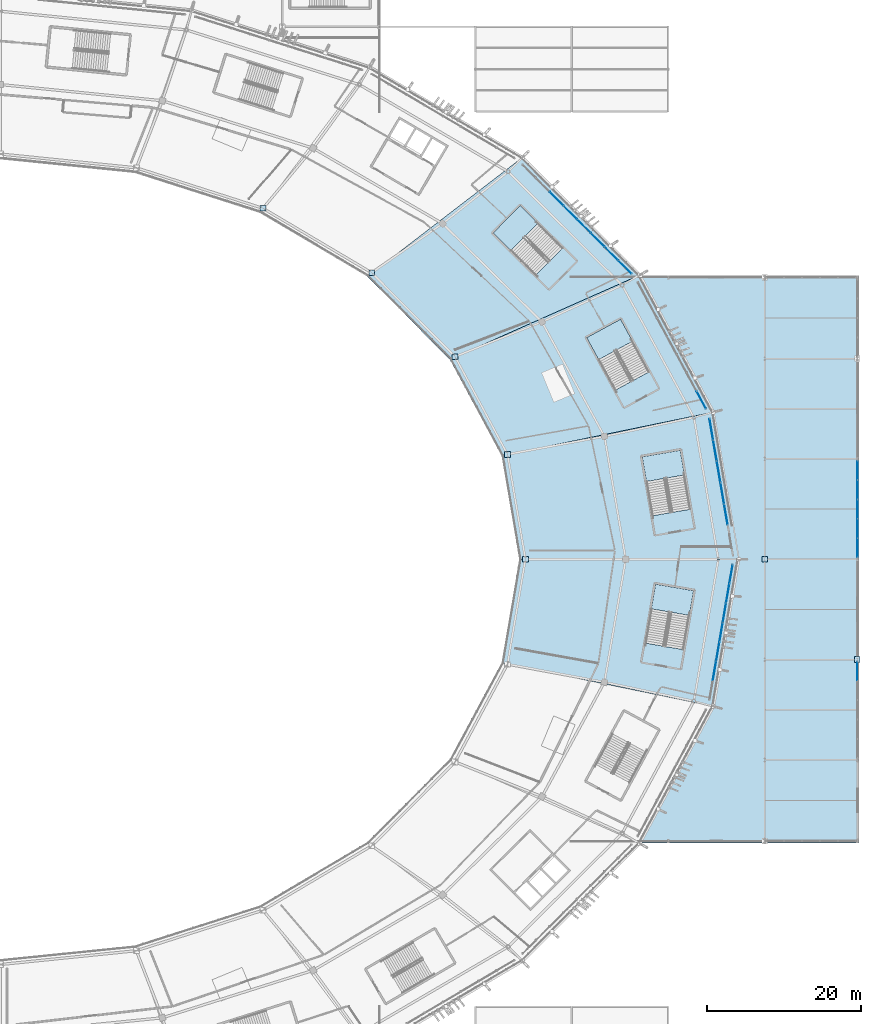
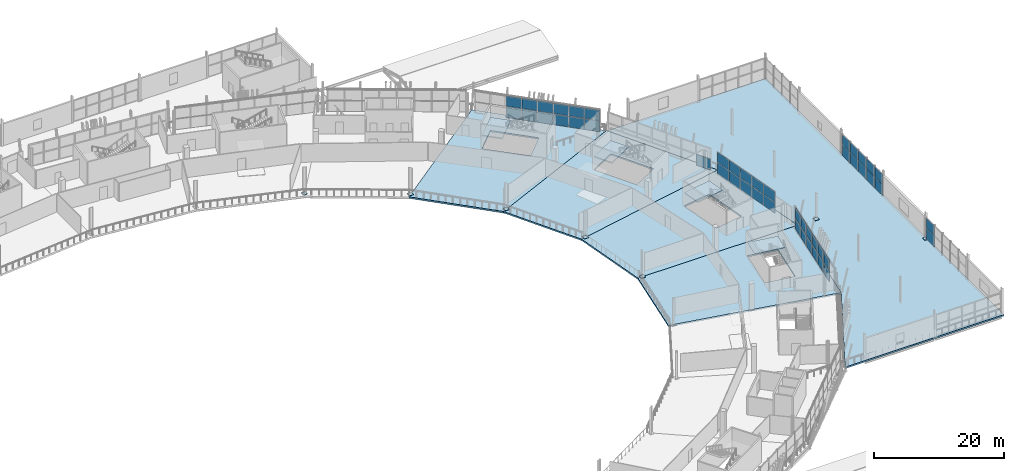
# One storey, part 98 of 179: 54 plates, 9 slabs, 10 elements without a shape of their own.
"""IFC4 building model written with IfcOpenShell, lengths in metres."""

from ifc_helpers import new_model, si_unit, direction, frame, origin, origin_2d, place, context, subcontext, project, spatial, polyline, rectangle, outline, extrude, material, layer, layer_set, type_object, element, aggregate, save


model = new_model("IFC4")

# Units and contexts
model_context = context("Model", 3, precision=1e-05, world=origin(), true_north=direction((0.0, 1.0)))
body_context = subcontext(model_context, "Body", "Model", "MODEL_VIEW")
ifc_project = project(units=[si_unit("LENGTHUNIT", "METRE"), si_unit("AREAUNIT", "SQUARE_METRE"), si_unit("VOLUMEUNIT", "CUBIC_METRE"), si_unit("PLANEANGLEUNIT", "RADIAN"), si_unit("MASSUNIT", "GRAM", prefix="KILO")], contexts=[model_context])

# Site, building, storey
site_placement = place(None, origin())
site = spatial("IfcSite", under=ifc_project, at=site_placement, CompositionType="ELEMENT")
building_placement = place(site_placement, origin())
building = spatial("IfcBuilding", under=site, at=building_placement, Name="Zlatoyarsky Gate Stadium", CompositionType="ELEMENT")
storey_placement = place(building_placement, frame((0.0, 0.0, 10.60009765625)))
storey = spatial("IfcBuildingStorey", under=building, at=storey_placement, Name="L02", CompositionType="ELEMENT", Elevation=10.60009765625)

# Curtain wall, plates
ifc_material_1 = material(Name="Thermally broken anodised aluminium curtain wall", Category="aluminium")
curtain_wall_type_1 = type_object("IfcCurtainWallType", Name="MONUMENTAL ARCHED GATE GLAZING UPPER", PredefinedType="USERDEFINED", material=ifc_material_1)
curtain_wall_1_placement = place(storey_placement, origin())
curtain_wall_1 = element("IfcCurtainWall", 1, at=curtain_wall_1_placement, inside=storey, type_object=curtain_wall_type_1, Name="Curtain wall CW-L02-00", ObjectType="ARCHED GATE GLAZING", PredefinedType="USERDEFINED")
ifc_material_2 = material(Name="Triple-glazed argon low-e architectural glass", Category="glass")
ifc_layer_1 = layer(ifc_material_2, 0.0458984375)
ifc_layer_set_1 = layer_set([ifc_layer_1], Name="Triple-glazed argon low-e architectural glass")
plate_type_1 = type_object("IfcPlateType", Name="ACOUSTIC LAMINATED GATE GLAZING PANEL 46", PredefinedType="CURTAIN_PANEL", material=ifc_layer_set_1)
plate_1_placement = place(storey_placement, frame((204.983642578125, 85.790771484375, 0.074951171875), z_axis=(0.0, 0.0, 1.0), x_axis=(-0.168878353177, 0.985636901617, 0.0)))
plate_1 = element("IfcPlate", 2, at=plate_1_placement, type_object=plate_type_1, Name="CW-AG2 panel 1.1", PredefinedType="CURTAIN_PANEL", context=body_context, shape_type="SweptSolid", body=[
    extrude(rectangle(XDim=2.699951171875, YDim=0.0458984375, at=origin_2d()), origin(), (0.0, 0.0, 1.0), 2.03759765625),
])
plate_2_placement = place(storey_placement, frame((204.983642578125, 85.790771484375, 2.1875), z_axis=(0.0, 0.0, 1.0), x_axis=(-0.168878353177, 0.985636901617, 0.0)))
plate_2 = element("IfcPlate", 3, at=plate_2_placement, type_object=plate_type_1, Name="CW-AG2 panel 1.2", PredefinedType="CURTAIN_PANEL", context=body_context, shape_type="SweptSolid", body=[
    extrude(rectangle(XDim=2.699951171875, YDim=0.0458984375, at=origin_2d()), origin(), (0.0, 0.0, 1.0), 1.9375),
])
plate_3_placement = place(storey_placement, frame((204.511962890625, 88.54443359375, 0.074951171875), z_axis=(0.0, 0.0, 1.0), x_axis=(-0.168878353177, 0.985636901617, 0.0)))
plate_3 = element("IfcPlate", 4, at=plate_3_placement, type_object=plate_type_1, Name="CW-AG2 panel 2.1", PredefinedType="CURTAIN_PANEL", context=body_context, shape_type="SweptSolid", body=[
    extrude(rectangle(XDim=2.737548828125, YDim=0.0458984375, at=origin_2d()), origin(), (0.0, 0.0, 1.0), 2.03759765625),
])
plate_4_placement = place(storey_placement, frame((204.511962890625, 88.54443359375, 2.1875), z_axis=(0.0, 0.0, 1.0), x_axis=(-0.168878353177, 0.985636901617, 0.0)))
plate_4 = element("IfcPlate", 5, at=plate_4_placement, type_object=plate_type_1, Name="CW-AG2 panel 2.2", PredefinedType="CURTAIN_PANEL", context=body_context, shape_type="SweptSolid", body=[
    extrude(rectangle(XDim=2.737548828125, YDim=0.0458984375, at=origin_2d()), origin(), (0.0, 0.0, 1.0), 1.9375),
])
plate_5_placement = place(storey_placement, frame((204.036865234375, 91.31640625, 0.074951171875), z_axis=(0.0, 0.0, 1.0), x_axis=(-0.168878353177, 0.985636901617, 0.0)))
plate_5 = element("IfcPlate", 6, at=plate_5_placement, type_object=plate_type_1, Name="CW-AG2 panel 3.1", PredefinedType="CURTAIN_PANEL", context=body_context, shape_type="SweptSolid", body=[
    extrude(rectangle(XDim=2.737548828125, YDim=0.0458984375, at=origin_2d()), origin(), (0.0, 0.0, 1.0), 2.03759765625),
])
plate_6_placement = place(storey_placement, frame((204.036865234375, 91.31640625, 2.1875), z_axis=(0.0, 0.0, 1.0), x_axis=(-0.168878353177, 0.985636901617, 0.0)))
plate_6 = element("IfcPlate", 7, at=plate_6_placement, type_object=plate_type_1, Name="CW-AG2 panel 3.2", PredefinedType="CURTAIN_PANEL", context=body_context, shape_type="SweptSolid", body=[
    extrude(rectangle(XDim=2.737548828125, YDim=0.0458984375, at=origin_2d()), origin(), (0.0, 0.0, 1.0), 1.9375),
])
plate_7_placement = place(storey_placement, frame((203.56201171875, 94.088623046875, 0.074951171875), z_axis=(0.0, 0.0, 1.0), x_axis=(-0.168878353177, 0.985636901617, 0.0)))
plate_7 = element("IfcPlate", 8, at=plate_7_placement, type_object=plate_type_1, Name="CW-AG2 panel 4.1", PredefinedType="CURTAIN_PANEL", context=body_context, shape_type="SweptSolid", body=[
    extrude(rectangle(XDim=2.737548828125, YDim=0.0458984375, at=origin_2d()), origin(), (0.0, 0.0, 1.0), 2.03759765625),
])
plate_8_placement = place(storey_placement, frame((203.56201171875, 94.088623046875, 2.1875), z_axis=(0.0, 0.0, 1.0), x_axis=(-0.168878353177, 0.985636901617, 0.0)))
plate_8 = element("IfcPlate", 9, at=plate_8_placement, type_object=plate_type_1, Name="CW-AG2 panel 4.2", PredefinedType="CURTAIN_PANEL", context=body_context, shape_type="SweptSolid", body=[
    extrude(rectangle(XDim=2.737548828125, YDim=0.0458984375, at=origin_2d()), origin(), (0.0, 0.0, 1.0), 1.9375),
])
plate_9_placement = place(storey_placement, frame((203.090087890625, 96.84228515625, 0.074951171875), z_axis=(0.0, 0.0, 1.0), x_axis=(-0.168878353177, 0.985636901617, 0.0)))
plate_9 = element("IfcPlate", 10, at=plate_9_placement, type_object=plate_type_1, Name="CW-AG2 panel 5.1", PredefinedType="CURTAIN_PANEL", context=body_context, shape_type="SweptSolid", body=[
    extrude(rectangle(XDim=2.699951171875, YDim=0.0458984375, at=origin_2d()), origin(), (0.0, 0.0, 1.0), 2.03759765625),
])
plate_10_placement = place(storey_placement, frame((203.090087890625, 96.84228515625, 2.1875), z_axis=(0.0, 0.0, 1.0), x_axis=(-0.168878353177, 0.985636901617, 0.0)))
plate_10 = element("IfcPlate", 11, at=plate_10_placement, type_object=plate_type_1, Name="CW-AG2 panel 5.2", PredefinedType="CURTAIN_PANEL", context=body_context, shape_type="SweptSolid", body=[
    extrude(rectangle(XDim=2.699951171875, YDim=0.0458984375, at=origin_2d()), origin(), (0.0, 0.0, 1.0), 1.9375),
])
aggregate(curtain_wall_1, [plate_1, plate_2, plate_3, plate_4, plate_5, plate_6, plate_7, plate_8, plate_9, plate_10])

# Slabs
ifc_material_3 = material(Name="Concrete C40/50", Category="concrete")
ifc_layer_2 = layer(ifc_material_3, 0.280029296875)
ifc_layer_set_2 = layer_set([ifc_layer_2], Name="Concrete C40/50")
slab_type_1 = type_object("IfcSlabType", Name="CONCRETE HOSPITALITY SLAB 280", PredefinedType="FLOOR", material=ifc_layer_set_2)
slab_1_placement = place(storey_placement, frame((0.0, 0.0, -0.280029296875)))
element("IfcSlab", 12, at=slab_1_placement, inside=storey, type_object=slab_type_1, Name="L02 bowl sector 00 slab", PredefinedType="FLOOR", context=body_context, shape_type="SweptSolid", body=[
    extrude(outline(polyline([(175.91015625, 93.40673828125), (203.415771484375, 99.068603515625), (206.67578125, 80.0), (178.199951171875, 80.0), (175.91015625, 93.40673828125)]), holes=[polyline([(200.37548828125, 86.485107421875), (199.058349609375, 94.122314453125), (194.131103515625, 93.272705078125), (195.447998046875, 85.635498046875), (200.37548828125, 86.485107421875)])]), origin(), (0.0, 0.0, 1.0), 0.280029296875),
])
slab_2_placement = place(storey_placement, frame((0.0, 0.0, -0.280029296875)))
element("IfcSlab", 13, at=slab_2_placement, inside=storey, type_object=slab_type_1, Name="L02 bowl sector 01 slab", PredefinedType="FLOOR", context=body_context, shape_type="SweptSolid", body=[
    extrude(outline(polyline([(169.197021484375, 105.89990234375), (193.85791015625, 116.837890625), (203.415771484375, 99.068603515625), (175.91015625, 93.40673828125), (169.197021484375, 105.89990234375)]), holes=[polyline([(195.030517578125, 104.287353515625), (191.33447265625, 111.09912109375), (186.939697265625, 108.71484375), (190.635498046875, 101.90283203125), (195.030517578125, 104.287353515625)])]), origin(), (0.0, 0.0, 1.0), 0.280029296875),
])
slab_3_placement = place(storey_placement, frame((0.0, 0.0, -0.280029296875)))
element("IfcSlab", 14, at=slab_3_placement, inside=storey, type_object=slab_type_1, Name="L02 bowl sector 02 slab", PredefinedType="FLOOR", context=body_context, shape_type="SweptSolid", body=[
    extrude(outline(polyline([(158.517578125, 116.628173828125), (178.653076171875, 132.0966796875), (193.85791015625, 116.837890625), (169.197021484375, 105.89990234375), (158.517578125, 116.628173828125)]), holes=[polyline([(183.828125, 120.347412109375), (178.334228515625, 125.8134765625), (174.8076171875, 122.268798828125), (180.3017578125, 116.802734375), (183.828125, 120.347412109375)])]), origin(), (0.0, 0.0, 1.0), 0.280029296875),
])
slab_4_placement = place(storey_placement, frame((0.0, 0.0, -0.280029296875)))
element("IfcSlab", 15, at=slab_4_placement, inside=storey, type_object=slab_type_1, Name="L02 bowl sector 23 slab", PredefinedType="FLOOR", context=body_context, shape_type="SweptSolid", body=[
    extrude(outline(polyline([(178.199951171875, 80.0), (206.67578125, 80.0), (203.415771484375, 60.931396484375), (175.91015625, 66.59326171875), (178.199951171875, 80.0)]), holes=[polyline([(194.547607421875, 69.1416015625), (199.474609375, 68.2919921875), (200.791748046875, 75.92919921875), (195.864501953125, 76.77880859375), (194.547607421875, 69.1416015625)])]), origin(), (0.0, 0.0, 1.0), 0.280029296875),
])
slab_5_placement = place(storey_placement, frame((0.0, 0.0, -0.280029296875)))
element("IfcSlab", 16, at=slab_5_placement, inside=storey, type_object=slab_type_1, Name="L02 wing V5_EAST slab", PredefinedType="FLOOR", context=body_context, shape_type="SweptSolid", body=[
    extrude(outline(polyline([(193.910400390625, 43.260009765625), (203.415771484375, 60.931396484375), (206.67578125, 80.0), (203.415771484375, 99.068603515625), (193.910400390625, 116.739990234375), (222.239990234375, 116.739990234375), (222.239990234375, 43.260009765625), (193.910400390625, 43.260009765625)])), origin(), (0.0, 0.0, 1.0), 0.280029296875),
])

# Stair, slab
stair_type = type_object("IfcStairType", Name="CONCRETE DOGLEG EXIT STAIR H5000", PredefinedType="TWO_STRAIGHT_RUN_STAIR", material=ifc_material_3)
stair_1_placement = place(storey_placement, origin())
stair_1 = element("IfcStair", 17, at=stair_1_placement, inside=storey, type_object=stair_type, Name="L02 Exit Stair ST-01", PredefinedType="TWO_STRAIGHT_RUN_STAIR")
ifc_layer_3 = layer(ifc_material_3, 0.199951171875)
ifc_layer_set_3 = layer_set([ifc_layer_3], Name="Concrete C40/50")
slab_type_2 = type_object("IfcSlabType", Name="CONCRETE STAIR LANDING SLAB 200", PredefinedType="LANDING", material=ifc_layer_set_3)
slab_6_placement = place(storey_placement, frame((0.0, 0.0, 2.2998046875)))
slab_6 = element("IfcSlab", 18, at=slab_6_placement, type_object=slab_type_2, Name="ST-DG50 landing 1", PredefinedType="LANDING", context=body_context, shape_type="SweptSolid", body=[
    extrude(outline(polyline([(199.610595703125, 90.919677734375), (199.058349609375, 94.12255859375), (194.131103515625, 93.272705078125), (194.683349609375, 90.070068359375), (199.610595703125, 90.919677734375)])), origin(), (0.0, 0.0, 1.0), 0.2001953125),
])
aggregate(stair_1, [slab_6])

stair_2_placement = place(storey_placement, origin())
stair_2 = element("IfcStair", 19, at=stair_2_placement, inside=storey, type_object=stair_type, Name="L02 Exit Stair ST-02", PredefinedType="TWO_STRAIGHT_RUN_STAIR")
slab_7_placement = place(storey_placement, frame((0.0, 0.0, 2.2998046875)))
slab_7 = element("IfcSlab", 20, at=slab_7_placement, type_object=slab_type_2, Name="ST-DG50 landing 1", PredefinedType="LANDING", context=body_context, shape_type="SweptSolid", body=[
    extrude(outline(polyline([(180.63818359375, 123.521240234375), (178.334228515625, 125.8134765625), (174.8076171875, 122.26904296875), (177.111572265625, 119.9765625), (180.63818359375, 123.521240234375)])), origin(), (0.0, 0.0, 1.0), 0.2001953125),
])
aggregate(stair_2, [slab_7])

stair_3_placement = place(storey_placement, origin())
stair_3 = element("IfcStair", 21, at=stair_3_placement, inside=storey, type_object=stair_type, Name="L02 Exit Stair ST-13", PredefinedType="TWO_STRAIGHT_RUN_STAIR")
slab_8_placement = place(storey_placement, frame((0.0, 0.0, 2.2998046875)))
slab_8 = element("IfcSlab", 22, at=slab_8_placement, type_object=slab_type_2, Name="ST-DG50 landing 1", PredefinedType="LANDING", context=body_context, shape_type="SweptSolid", body=[
    extrude(outline(polyline([(192.884521484375, 108.24267578125), (191.33447265625, 111.09912109375), (186.939697265625, 108.71484375), (188.489501953125, 105.858154296875), (192.884521484375, 108.24267578125)])), origin(), (0.0, 0.0, 1.0), 0.2001953125),
])
aggregate(stair_3, [slab_8])

stair_4_placement = place(storey_placement, origin())
stair_4 = element("IfcStair", 23, at=stair_4_placement, inside=storey, type_object=stair_type, Name="L02 Exit Stair ST-20", PredefinedType="TWO_STRAIGHT_RUN_STAIR")
slab_9_placement = place(storey_placement, frame((0.0, 0.0, 2.2998046875)))
slab_9 = element("IfcSlab", 24, at=slab_9_placement, type_object=slab_type_2, Name="ST-DG50 landing 1", PredefinedType="LANDING", context=body_context, shape_type="SweptSolid", body=[
    extrude(outline(polyline([(200.239501953125, 72.7265625), (200.791748046875, 75.92919921875), (195.864501953125, 76.77880859375), (195.312255859375, 73.576171875), (200.239501953125, 72.7265625)])), origin(), (0.0, 0.0, 1.0), 0.2001953125),
])
aggregate(stair_4, [slab_9])

# Curtain wall, plates
curtain_wall_type_2 = type_object("IfcCurtainWallType", Name="WINTER GARDEN CONSERVATORY GLAZING", PredefinedType="USERDEFINED", material=ifc_material_1)
curtain_wall_2_placement = place(storey_placement, origin())
curtain_wall_2 = element("IfcCurtainWall", 25, at=curtain_wall_2_placement, inside=storey, type_object=curtain_wall_type_2, Name="Curtain wall CW-V5_EAST-L02-184", ObjectType="UNITISED GLAZING", PredefinedType="USERDEFINED")
ifc_material_4 = material(Name="Anodised aluminium spandrel panel", Category="aluminium")
ifc_layer_4 = layer(ifc_material_4, 0.05810546875)
ifc_layer_set_4 = layer_set([ifc_layer_4], Name="Anodised aluminium spandrel panel")
plate_type_2 = type_object("IfcPlateType", Name="INSULATED ALUMINIUM SPANDREL PANEL 58", PredefinedType="CURTAIN_PANEL", material=ifc_layer_set_4)
plate_11_placement = place(storey_placement, frame((222.0, 81.48583984375, 0.06494140625), z_axis=(0.0, 0.0, 1.0), x_axis=(0.0, 1.0, 0.0)))
plate_11 = element("IfcPlate", 26, at=plate_11_placement, type_object=plate_type_2, Name="CW-WG1 panel 1.1", PredefinedType="CURTAIN_PANEL", context=body_context, shape_type="SweptSolid", body=[
    extrude(rectangle(XDim=2.417724609375, YDim=0.05810546875, at=origin_2d()), origin(), (0.0, 0.0, 1.0), 2.052490234375),
])
plate_12_placement = place(storey_placement, frame((222.0, 81.48583984375, 2.182373046875), z_axis=(0.0, 0.0, 1.0), x_axis=(0.0, 1.0, 0.0)))
plate_12 = element("IfcPlate", 27, at=plate_12_placement, type_object=plate_type_2, Name="CW-WG1 panel 1.2", PredefinedType="CURTAIN_PANEL", context=body_context, shape_type="SweptSolid", body=[
    extrude(rectangle(XDim=2.417724609375, YDim=0.05810546875, at=origin_2d()), origin(), (0.0, 0.0, 1.0), 1.8525390625),
])
plate_13_placement = place(storey_placement, frame((222.0, 83.98486328125, 0.06494140625), z_axis=(0.0, 0.0, 1.0), x_axis=(0.0, 1.0, 0.0)))
plate_13 = element("IfcPlate", 28, at=plate_13_placement, type_object=plate_type_2, Name="CW-WG1 panel 2.1", PredefinedType="CURTAIN_PANEL", context=body_context, shape_type="SweptSolid", body=[
    extrude(rectangle(XDim=2.4501953125, YDim=0.05810546875, at=origin_2d()), origin(), (0.0, 0.0, 1.0), 2.052490234375),
])
plate_14_placement = place(storey_placement, frame((222.0, 83.98486328125, 2.182373046875), z_axis=(0.0, 0.0, 1.0), x_axis=(0.0, 1.0, 0.0)))
plate_14 = element("IfcPlate", 29, at=plate_14_placement, type_object=plate_type_2, Name="CW-WG1 panel 2.2", PredefinedType="CURTAIN_PANEL", context=body_context, shape_type="SweptSolid", body=[
    extrude(rectangle(XDim=2.4501953125, YDim=0.05810546875, at=origin_2d()), origin(), (0.0, 0.0, 1.0), 1.8525390625),
])
plate_15_placement = place(storey_placement, frame((222.0, 86.5, 0.06494140625), z_axis=(0.0, 0.0, 1.0), x_axis=(0.0, 1.0, 0.0)))
plate_15 = element("IfcPlate", 30, at=plate_15_placement, type_object=plate_type_2, Name="CW-WG1 panel 3.1", PredefinedType="CURTAIN_PANEL", context=body_context, shape_type="SweptSolid", body=[
    extrude(rectangle(XDim=2.4501953125, YDim=0.05810546875, at=origin_2d()), origin(), (0.0, 0.0, 1.0), 2.052490234375),
])
plate_16_placement = place(storey_placement, frame((222.0, 86.5, 2.182373046875), z_axis=(0.0, 0.0, 1.0), x_axis=(0.0, 1.0, 0.0)))
plate_16 = element("IfcPlate", 31, at=plate_16_placement, type_object=plate_type_2, Name="CW-WG1 panel 3.2", PredefinedType="CURTAIN_PANEL", context=body_context, shape_type="SweptSolid", body=[
    extrude(rectangle(XDim=2.4501953125, YDim=0.05810546875, at=origin_2d()), origin(), (0.0, 0.0, 1.0), 1.8525390625),
])
plate_17_placement = place(storey_placement, frame((222.0, 89.01513671875, 0.06494140625), z_axis=(0.0, 0.0, 1.0), x_axis=(0.0, 1.0, 0.0)))
plate_17 = element("IfcPlate", 32, at=plate_17_placement, type_object=plate_type_2, Name="CW-WG1 panel 4.1", PredefinedType="CURTAIN_PANEL", context=body_context, shape_type="SweptSolid", body=[
    extrude(rectangle(XDim=2.4501953125, YDim=0.05810546875, at=origin_2d()), origin(), (0.0, 0.0, 1.0), 2.052490234375),
])
plate_18_placement = place(storey_placement, frame((222.0, 89.01513671875, 2.182373046875), z_axis=(0.0, 0.0, 1.0), x_axis=(0.0, 1.0, 0.0)))
plate_18 = element("IfcPlate", 33, at=plate_18_placement, type_object=plate_type_2, Name="CW-WG1 panel 4.2", PredefinedType="CURTAIN_PANEL", context=body_context, shape_type="SweptSolid", body=[
    extrude(rectangle(XDim=2.4501953125, YDim=0.05810546875, at=origin_2d()), origin(), (0.0, 0.0, 1.0), 1.8525390625),
])
plate_19_placement = place(storey_placement, frame((222.0, 91.51416015625, 0.06494140625), z_axis=(0.0, 0.0, 1.0), x_axis=(0.0, 1.0, 0.0)))
plate_19 = element("IfcPlate", 34, at=plate_19_placement, type_object=plate_type_2, Name="CW-WG1 panel 5.1", PredefinedType="CURTAIN_PANEL", context=body_context, shape_type="SweptSolid", body=[
    extrude(rectangle(XDim=2.417724609375, YDim=0.05810546875, at=origin_2d()), origin(), (0.0, 0.0, 1.0), 2.052490234375),
])
plate_20_placement = place(storey_placement, frame((222.0, 91.51416015625, 2.182373046875), z_axis=(0.0, 0.0, 1.0), x_axis=(0.0, 1.0, 0.0)))
plate_20 = element("IfcPlate", 35, at=plate_20_placement, type_object=plate_type_2, Name="CW-WG1 panel 5.2", PredefinedType="CURTAIN_PANEL", context=body_context, shape_type="SweptSolid", body=[
    extrude(rectangle(XDim=2.417724609375, YDim=0.05810546875, at=origin_2d()), origin(), (0.0, 0.0, 1.0), 1.8525390625),
])
aggregate(curtain_wall_2, [plate_11, plate_12, plate_13, plate_14, plate_15, plate_16, plate_17, plate_18, plate_19, plate_20])

# Plates
ifc_material_5 = material(Name="Steel S355", Category="steel")
ifc_layer_5 = layer(ifc_material_5, 0.0400390625)
ifc_layer_set_5 = layer_set([ifc_layer_5], Name="Steel S355")
plate_type_3 = type_object("IfcPlateType", Name="STEEL COLUMN BASE PLATE 40", PredefinedType="USERDEFINED", material=ifc_layer_set_5)
for number, where, z_axis, x_axis, name in (
    (36, (179.0, 80.0, 0.0), (0.0, 0.0, 1.0), (1.0, 0.0, 0.0), "Column base plate BP-01 at RA-00 L02"),
    (37, (176.68310546875, 93.587890625, 0.0), (0.0, 0.0, 1.0), (1.0, 0.0, 0.0), "Column base plate BP-01 at RA-01 L02"),
    (38, (169.8896484375, 106.25, 0.0), (0.0, 0.0, 1.0), (1.0, 0.0, 0.0), "Column base plate BP-01 at RA-02 L02"),
    (39, (159.083251953125, 117.123046875, 0.0), (0.0, 0.0, 1.0), (1.0, 0.0, 0.0), "Column base plate BP-01 at RA-03 L02"),
    (40, (145.0, 125.46630859375, 0.0), (0.0, 0.0, 1.0), (1.0, 0.0, 0.0), "Column base plate BP-01 at RA-04 L02"),
    (41, (210.0, 80.0, 0.0), (0.0, 0.0, 1.0), (1.0, 0.0, 0.0), "Column base plate BP-01 at WG-18-H L02"),
    (42, (222.0, 67.0, 0.0), (0.0, 0.0, 1.0), (1.0, 0.0, 0.0), "Column base plate BP-01 at WG-19-G L02"),
):
    element("IfcPlate", number, at=place(storey_placement, frame(where, z_axis=z_axis, x_axis=x_axis)), inside=storey, type_object=plate_type_3, Name=name, ObjectType="BASE PLATE", PredefinedType="USERDEFINED", context=body_context, shape_type="SweptSolid", body=[
        extrude(rectangle(XDim=0.75, YDim=0.75, at=origin_2d()), origin(), (0.0, 0.0, 1.0), 0.0400390625),
    ])

# Curtain wall, plate
curtain_wall_type_3 = type_object("IfcCurtainWallType", Name="UNITISED HOSPITALITY GLAZING L02", PredefinedType="USERDEFINED", material=ifc_material_1)
curtain_wall_3_placement = place(storey_placement, origin())
curtain_wall_3 = element("IfcCurtainWall", 43, at=curtain_wall_3_placement, inside=storey, type_object=curtain_wall_type_3, Name="Curtain wall CW-L02-01", ObjectType="UNITISED GLAZING", PredefinedType="USERDEFINED")
ifc_layer_6 = layer(ifc_material_2, 0.0380859375)
ifc_layer_set_6 = layer_set([ifc_layer_6], Name="Triple-glazed argon low-e architectural glass")
plate_type_4 = type_object("IfcPlateType", Name="TRIPLE GLAZED LOW E CURTAIN PANEL 38", PredefinedType="CURTAIN_PANEL", material=ifc_layer_set_6)
plate_21_placement = place(storey_placement, frame((201.7900390625, 100.6494140625, 0.06494140625), z_axis=(0.0, 0.0, 1.0), x_axis=(-0.474536449165, 0.880235853856, 0.0)))
plate_21 = element("IfcPlate", 44, at=plate_21_placement, type_object=plate_type_4, Name="CW-UG2 panel 1.1", PredefinedType="CURTAIN_PANEL", context=body_context, shape_type="SweptSolid", body=[
    extrude(rectangle(XDim=2.5732421875, YDim=0.0380859375, at=origin_2d()), origin(), (0.0, 0.0, 1.0), 2.052490234375),
])
aggregate(curtain_wall_3, [plate_21])

# Curtain wall, plates
curtain_wall_4_placement = place(storey_placement, origin())
curtain_wall_4 = element("IfcCurtainWall", 45, at=curtain_wall_4_placement, inside=storey, type_object=curtain_wall_type_3, Name="Curtain wall CW-L02-02", ObjectType="UNITISED GLAZING", PredefinedType="USERDEFINED")
plate_22_placement = place(storey_placement, frame((191.894775390625, 117.846435546875, 0.06494140625), z_axis=(0.0, 0.0, 1.0), x_axis=(-0.706625557031, 0.707587678066, 0.0)))
plate_22 = element("IfcPlate", 46, at=plate_22_placement, type_object=plate_type_4, Name="CW-UG2 panel 1.1", PredefinedType="CURTAIN_PANEL", context=body_context, shape_type="SweptSolid", body=[
    extrude(rectangle(XDim=2.409912109375, YDim=0.0380859375, at=origin_2d()), origin(), (0.0, 0.0, 1.0), 2.052490234375),
])
plate_23_placement = place(storey_placement, frame((191.894775390625, 117.846435546875, 2.1826171875), z_axis=(0.0, 0.0, 1.0), x_axis=(-0.706625557031, 0.707587678066, 0.0)))
plate_23 = element("IfcPlate", 47, at=plate_23_placement, type_object=plate_type_4, Name="CW-UG2 panel 1.2", PredefinedType="CURTAIN_PANEL", context=body_context, shape_type="SweptSolid", body=[
    extrude(rectangle(XDim=2.409912109375, YDim=0.0380859375, at=origin_2d()), origin(), (0.0, 0.0, 1.0), 1.952392578125),
])
plate_24_placement = place(storey_placement, frame((190.134521484375, 119.609130859375, 0.06494140625), z_axis=(0.0, 0.0, 1.0), x_axis=(-0.706625557031, 0.707587678066, 0.0)))
plate_24 = element("IfcPlate", 48, at=plate_24_placement, type_object=plate_type_4, Name="CW-UG2 panel 2.1", PredefinedType="CURTAIN_PANEL", context=body_context, shape_type="SweptSolid", body=[
    extrude(rectangle(XDim=2.4423828125, YDim=0.0380859375, at=origin_2d()), origin(), (0.0, 0.0, 1.0), 2.052490234375),
])
plate_25_placement = place(storey_placement, frame((190.134521484375, 119.609130859375, 2.1826171875), z_axis=(0.0, 0.0, 1.0), x_axis=(-0.706625557031, 0.707587678066, 0.0)))
plate_25 = element("IfcPlate", 49, at=plate_25_placement, type_object=plate_type_4, Name="CW-UG2 panel 2.2", PredefinedType="CURTAIN_PANEL", context=body_context, shape_type="SweptSolid", body=[
    extrude(rectangle(XDim=2.4423828125, YDim=0.0380859375, at=origin_2d()), origin(), (0.0, 0.0, 1.0), 1.952392578125),
])
plate_26_placement = place(storey_placement, frame((188.362548828125, 121.383544921875, 0.06494140625), z_axis=(0.0, 0.0, 1.0), x_axis=(-0.706625557031, 0.707587678066, 0.0)))
plate_26 = element("IfcPlate", 50, at=plate_26_placement, type_object=plate_type_4, Name="CW-UG2 panel 3.1", PredefinedType="CURTAIN_PANEL", context=body_context, shape_type="SweptSolid", body=[
    extrude(rectangle(XDim=2.4423828125, YDim=0.0380859375, at=origin_2d()), origin(), (0.0, 0.0, 1.0), 2.052490234375),
])
plate_27_placement = place(storey_placement, frame((188.362548828125, 121.383544921875, 2.1826171875), z_axis=(0.0, 0.0, 1.0), x_axis=(-0.706625557031, 0.707587678066, 0.0)))
plate_27 = element("IfcPlate", 51, at=plate_27_placement, type_object=plate_type_4, Name="CW-UG2 panel 3.2", PredefinedType="CURTAIN_PANEL", context=body_context, shape_type="SweptSolid", body=[
    extrude(rectangle(XDim=2.4423828125, YDim=0.0380859375, at=origin_2d()), origin(), (0.0, 0.0, 1.0), 1.952392578125),
])
plate_28_placement = place(storey_placement, frame((186.5908203125, 123.15771484375, 0.06494140625), z_axis=(0.0, 0.0, 1.0), x_axis=(-0.706625557031, 0.707587678066, 0.0)))
plate_28 = element("IfcPlate", 52, at=plate_28_placement, type_object=plate_type_4, Name="CW-UG2 panel 4.1", PredefinedType="CURTAIN_PANEL", context=body_context, shape_type="SweptSolid", body=[
    extrude(rectangle(XDim=2.4423828125, YDim=0.0380859375, at=origin_2d()), origin(), (0.0, 0.0, 1.0), 2.052490234375),
])
plate_29_placement = place(storey_placement, frame((186.5908203125, 123.15771484375, 2.1826171875), z_axis=(0.0, 0.0, 1.0), x_axis=(-0.706625557031, 0.707587678066, 0.0)))
plate_29 = element("IfcPlate", 53, at=plate_29_placement, type_object=plate_type_4, Name="CW-UG2 panel 4.2", PredefinedType="CURTAIN_PANEL", context=body_context, shape_type="SweptSolid", body=[
    extrude(rectangle(XDim=2.4423828125, YDim=0.0380859375, at=origin_2d()), origin(), (0.0, 0.0, 1.0), 1.952392578125),
])
plate_30_placement = place(storey_placement, frame((184.81884765625, 124.931884765625, 0.06494140625), z_axis=(0.0, 0.0, 1.0), x_axis=(-0.706625557031, 0.707587678066, 0.0)))
plate_30 = element("IfcPlate", 54, at=plate_30_placement, type_object=plate_type_4, Name="CW-UG2 panel 5.1", PredefinedType="CURTAIN_PANEL", context=body_context, shape_type="SweptSolid", body=[
    extrude(rectangle(XDim=2.4423828125, YDim=0.0380859375, at=origin_2d()), origin(), (0.0, 0.0, 1.0), 2.052490234375),
])
plate_31_placement = place(storey_placement, frame((184.81884765625, 124.931884765625, 2.1826171875), z_axis=(0.0, 0.0, 1.0), x_axis=(-0.706625557031, 0.707587678066, 0.0)))
plate_31 = element("IfcPlate", 55, at=plate_31_placement, type_object=plate_type_4, Name="CW-UG2 panel 5.2", PredefinedType="CURTAIN_PANEL", context=body_context, shape_type="SweptSolid", body=[
    extrude(rectangle(XDim=2.4423828125, YDim=0.0380859375, at=origin_2d()), origin(), (0.0, 0.0, 1.0), 1.952392578125),
])
plate_32_placement = place(storey_placement, frame((183.047119140625, 126.706298828125, 0.06494140625), z_axis=(0.0, 0.0, 1.0), x_axis=(-0.706625557031, 0.707587678066, 0.0)))
plate_32 = element("IfcPlate", 56, at=plate_32_placement, type_object=plate_type_4, Name="CW-UG2 panel 6.1", PredefinedType="CURTAIN_PANEL", context=body_context, shape_type="SweptSolid", body=[
    extrude(rectangle(XDim=2.4423828125, YDim=0.0380859375, at=origin_2d()), origin(), (0.0, 0.0, 1.0), 2.052490234375),
])
plate_33_placement = place(storey_placement, frame((183.047119140625, 126.706298828125, 2.1826171875), z_axis=(0.0, 0.0, 1.0), x_axis=(-0.706625557031, 0.707587678066, 0.0)))
plate_33 = element("IfcPlate", 57, at=plate_33_placement, type_object=plate_type_4, Name="CW-UG2 panel 6.2", PredefinedType="CURTAIN_PANEL", context=body_context, shape_type="SweptSolid", body=[
    extrude(rectangle(XDim=2.4423828125, YDim=0.0380859375, at=origin_2d()), origin(), (0.0, 0.0, 1.0), 1.952392578125),
])
aggregate(curtain_wall_4, [plate_22, plate_23, plate_24, plate_25, plate_26, plate_27, plate_28, plate_29, plate_30, plate_31, plate_32, plate_33])

curtain_wall_5_placement = place(storey_placement, origin())
curtain_wall_5 = element("IfcCurtainWall", 58, at=curtain_wall_5_placement, inside=storey, type_object=curtain_wall_type_3, Name="Curtain wall CW-L02-23", ObjectType="UNITISED GLAZING", PredefinedType="USERDEFINED")
plate_34_placement = place(storey_placement, frame((203.495849609375, 65.52587890625, 0.06494140625), z_axis=(0.0, 0.0, 1.0), x_axis=(0.168876489016, 0.985637221019, 0.0)))
plate_34 = element("IfcPlate", 59, at=plate_34_placement, type_object=plate_type_4, Name="CW-UG2 panel 2.1", PredefinedType="CURTAIN_PANEL", context=body_context, shape_type="SweptSolid", body=[
    extrude(rectangle(XDim=2.48681640625, YDim=0.0380859375, at=origin_2d()), origin(), (0.0, 0.0, 1.0), 2.052490234375),
])
plate_35_placement = place(storey_placement, frame((203.495849609375, 65.52587890625, 2.1826171875), z_axis=(0.0, 0.0, 1.0), x_axis=(0.168876489016, 0.985637221019, 0.0)))
plate_35 = element("IfcPlate", 60, at=plate_35_placement, type_object=plate_type_4, Name="CW-UG2 panel 2.2", PredefinedType="CURTAIN_PANEL", context=body_context, shape_type="SweptSolid", body=[
    extrude(rectangle(XDim=2.48681640625, YDim=0.0380859375, at=origin_2d()), origin(), (0.0, 0.0, 1.0), 1.952392578125),
])
plate_36_placement = place(storey_placement, frame((203.9267578125, 68.041015625, 0.06494140625), z_axis=(0.0, 0.0, 1.0), x_axis=(0.168876489016, 0.985637221019, 0.0)))
plate_36 = element("IfcPlate", 61, at=plate_36_placement, type_object=plate_type_4, Name="CW-UG2 panel 3.1", PredefinedType="CURTAIN_PANEL", context=body_context, shape_type="SweptSolid", body=[
    extrude(rectangle(XDim=2.48681640625, YDim=0.0380859375, at=origin_2d()), origin(), (0.0, 0.0, 1.0), 2.052490234375),
])
plate_37_placement = place(storey_placement, frame((203.9267578125, 68.041015625, 2.1826171875), z_axis=(0.0, 0.0, 1.0), x_axis=(0.168876489016, 0.985637221019, 0.0)))
plate_37 = element("IfcPlate", 62, at=plate_37_placement, type_object=plate_type_4, Name="CW-UG2 panel 3.2", PredefinedType="CURTAIN_PANEL", context=body_context, shape_type="SweptSolid", body=[
    extrude(rectangle(XDim=2.48681640625, YDim=0.0380859375, at=origin_2d()), origin(), (0.0, 0.0, 1.0), 1.952392578125),
])
plate_38_placement = place(storey_placement, frame((204.35791015625, 70.55615234375, 0.06494140625), z_axis=(0.0, 0.0, 1.0), x_axis=(0.168876489016, 0.985637221019, 0.0)))
plate_38 = element("IfcPlate", 63, at=plate_38_placement, type_object=plate_type_4, Name="CW-UG2 panel 4.1", PredefinedType="CURTAIN_PANEL", context=body_context, shape_type="SweptSolid", body=[
    extrude(rectangle(XDim=2.48681640625, YDim=0.0380859375, at=origin_2d()), origin(), (0.0, 0.0, 1.0), 2.052490234375),
])
plate_39_placement = place(storey_placement, frame((204.35791015625, 70.55615234375, 2.1826171875), z_axis=(0.0, 0.0, 1.0), x_axis=(0.168876489016, 0.985637221019, 0.0)))
plate_39 = element("IfcPlate", 64, at=plate_39_placement, type_object=plate_type_4, Name="CW-UG2 panel 4.2", PredefinedType="CURTAIN_PANEL", context=body_context, shape_type="SweptSolid", body=[
    extrude(rectangle(XDim=2.48681640625, YDim=0.0380859375, at=origin_2d()), origin(), (0.0, 0.0, 1.0), 1.952392578125),
])
plate_40_placement = place(storey_placement, frame((204.788818359375, 73.0712890625, 0.06494140625), z_axis=(0.0, 0.0, 1.0), x_axis=(0.168876489016, 0.985637221019, 0.0)))
plate_40 = element("IfcPlate", 65, at=plate_40_placement, type_object=plate_type_4, Name="CW-UG2 panel 5.1", PredefinedType="CURTAIN_PANEL", context=body_context, shape_type="SweptSolid", body=[
    extrude(rectangle(XDim=2.48681640625, YDim=0.0380859375, at=origin_2d()), origin(), (0.0, 0.0, 1.0), 2.052490234375),
])
plate_41_placement = place(storey_placement, frame((204.788818359375, 73.0712890625, 2.1826171875), z_axis=(0.0, 0.0, 1.0), x_axis=(0.168876489016, 0.985637221019, 0.0)))
plate_41 = element("IfcPlate", 66, at=plate_41_placement, type_object=plate_type_4, Name="CW-UG2 panel 5.2", PredefinedType="CURTAIN_PANEL", context=body_context, shape_type="SweptSolid", body=[
    extrude(rectangle(XDim=2.48681640625, YDim=0.0380859375, at=origin_2d()), origin(), (0.0, 0.0, 1.0), 1.952392578125),
])
plate_42_placement = place(storey_placement, frame((205.2197265625, 75.58642578125, 0.06494140625), z_axis=(0.0, 0.0, 1.0), x_axis=(0.168876489016, 0.985637221019, 0.0)))
plate_42 = element("IfcPlate", 67, at=plate_42_placement, type_object=plate_type_4, Name="CW-UG2 panel 6.1", PredefinedType="CURTAIN_PANEL", context=body_context, shape_type="SweptSolid", body=[
    extrude(rectangle(XDim=2.48681640625, YDim=0.0380859375, at=origin_2d()), origin(), (0.0, 0.0, 1.0), 2.052490234375),
])
plate_43_placement = place(storey_placement, frame((205.2197265625, 75.58642578125, 2.1826171875), z_axis=(0.0, 0.0, 1.0), x_axis=(0.168876489016, 0.985637221019, 0.0)))
plate_43 = element("IfcPlate", 68, at=plate_43_placement, type_object=plate_type_4, Name="CW-UG2 panel 6.2", PredefinedType="CURTAIN_PANEL", context=body_context, shape_type="SweptSolid", body=[
    extrude(rectangle(XDim=2.48681640625, YDim=0.0380859375, at=origin_2d()), origin(), (0.0, 0.0, 1.0), 1.952392578125),
])
plate_44_placement = place(storey_placement, frame((205.64794921875, 78.085693359375, 0.06494140625), z_axis=(0.0, 0.0, 1.0), x_axis=(0.168876489016, 0.985637221019, 0.0)))
plate_44 = element("IfcPlate", 69, at=plate_44_placement, type_object=plate_type_4, Name="CW-UG2 panel 7.1", PredefinedType="CURTAIN_PANEL", context=body_context, shape_type="SweptSolid", body=[
    extrude(rectangle(XDim=2.454345703125, YDim=0.0380859375, at=origin_2d()), origin(), (0.0, 0.0, 1.0), 2.052490234375),
])
plate_45_placement = place(storey_placement, frame((205.64794921875, 78.085693359375, 2.1826171875), z_axis=(0.0, 0.0, 1.0), x_axis=(0.168876489016, 0.985637221019, 0.0)))
plate_45 = element("IfcPlate", 70, at=plate_45_placement, type_object=plate_type_4, Name="CW-UG2 panel 7.2", PredefinedType="CURTAIN_PANEL", context=body_context, shape_type="SweptSolid", body=[
    extrude(rectangle(XDim=2.454345703125, YDim=0.0380859375, at=origin_2d()), origin(), (0.0, 0.0, 1.0), 1.952392578125),
])
aggregate(curtain_wall_5, [plate_34, plate_35, plate_36, plate_37, plate_38, plate_39, plate_40, plate_41, plate_42, plate_43, plate_44, plate_45])

curtain_wall_6_placement = place(storey_placement, origin())
curtain_wall_6 = element("IfcCurtainWall", 71, at=curtain_wall_6_placement, inside=storey, type_object=curtain_wall_type_2, Name="Curtain wall CW-V5_EAST-L02-183", ObjectType="UNITISED GLAZING", PredefinedType="USERDEFINED")
plate_46_placement = place(storey_placement, frame((222.0, 65.51416015625, 0.06494140625), z_axis=(0.0, 0.0, 1.0), x_axis=(0.0, 1.0, 0.0)))
plate_46 = element("IfcPlate", 72, at=plate_46_placement, type_object=plate_type_4, Name="CW-WG1 panel 5.1", PredefinedType="CURTAIN_PANEL", context=body_context, shape_type="SweptSolid", body=[
    extrude(rectangle(XDim=2.417724609375, YDim=0.0380859375, at=origin_2d()), origin(), (0.0, 0.0, 1.0), 2.052490234375),
])
plate_47_placement = place(storey_placement, frame((222.0, 65.51416015625, 2.182373046875), z_axis=(0.0, 0.0, 1.0), x_axis=(0.0, 1.0, 0.0)))
plate_47 = element("IfcPlate", 73, at=plate_47_placement, type_object=plate_type_4, Name="CW-WG1 panel 5.2", PredefinedType="CURTAIN_PANEL", context=body_context, shape_type="SweptSolid", body=[
    extrude(rectangle(XDim=2.417724609375, YDim=0.0380859375, at=origin_2d()), origin(), (0.0, 0.0, 1.0), 1.8525390625),
])
aggregate(curtain_wall_6, [plate_46, plate_47])

save(model, "model.ifc")
